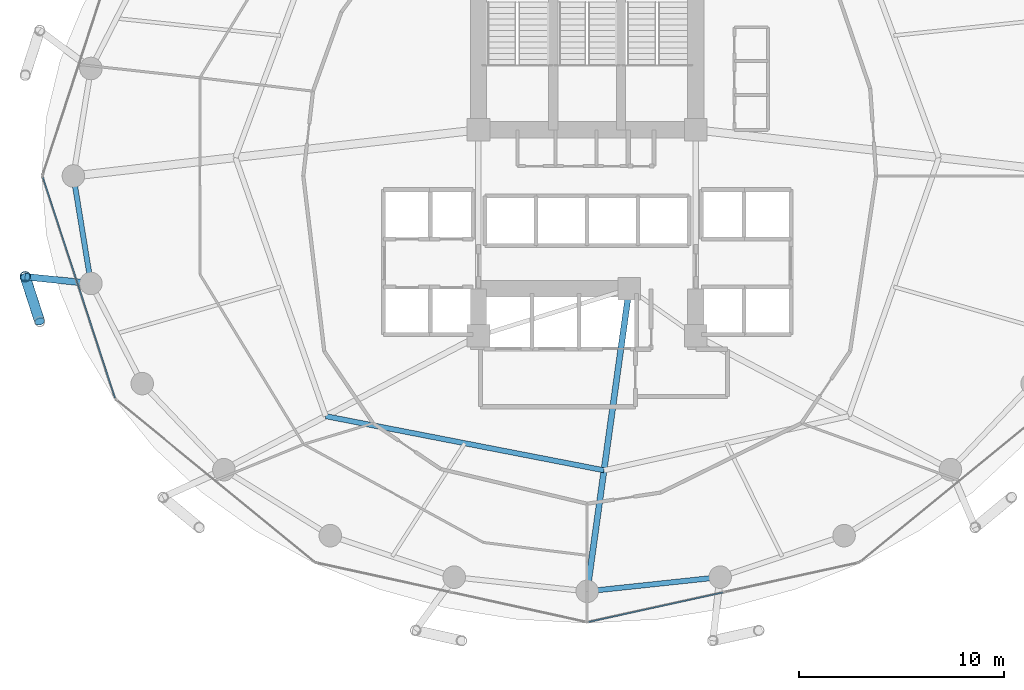
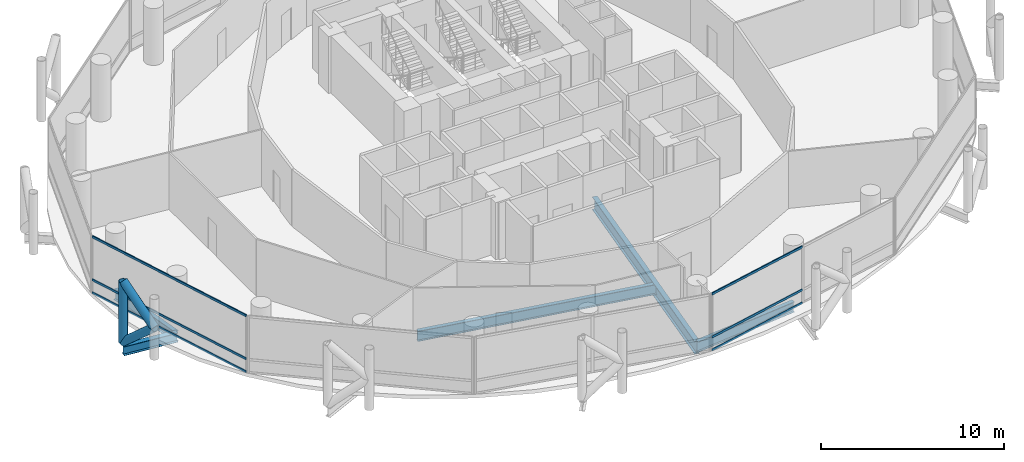
# One storey, part 5 of 25: 9 members, 5 beams, 2 elements without a shape of their own.
"""IFC4 building model written with IfcOpenShell, lengths in metres."""

import ifcopenshell
import ifcopenshell.guid

model = None  # the IFC model being written
_history = None  # IfcOwnerHistory: only IFC2X3 demands one
_inside = {}  # id of a spatial element -> (the spatial element, [elements in it])
_under = {}  # id of a project, library or spatial element -> (it, [spatial elements below it])
_declared = {}  # id of a project -> (the project, [libraries it declares])
_typed = {}  # id of a type object -> (the type object, [elements of that type])
_made_of = {}  # id of a material, layer set ... -> (it, [elements and type objects made of it])


def new_model(schema):
    """Start an empty IFC model of exactly this schema.

    Asked for "IFC4X3", IfcOpenShell would pick the latest addendum, in which some entities
    have other attributes; the version numbers below select the first issue.
    IFC2X3 requires an IfcOwnerHistory on every rooted entity: one is made here for all.
    """
    global model, _history
    if schema == "IFC4X3":
        model = ifcopenshell.file(schema_version=(4, 3, 0, 0))
    else:
        model = ifcopenshell.file(schema=schema)
    _inside.clear()
    _under.clear()
    _declared.clear()
    _typed.clear()
    _made_of.clear()
    _history = None
    if model.schema == "IFC2X3":
        org = make("IfcOrganization", Name="unknown")
        user = make(
            "IfcPersonAndOrganization",
            ThePerson=make("IfcPerson", FamilyName="unknown"),
            TheOrganization=org,
        )
        app = make(
            "IfcApplication",
            ApplicationDeveloper=org,
            Version="unknown",
            ApplicationFullName="unknown",
            ApplicationIdentifier="unknown",
        )
        _history = make(
            "IfcOwnerHistory",
            OwningUser=user,
            OwningApplication=app,
            ChangeAction="ADDED",
            CreationDate=0,
        )
    return model


def make(cls, **values):
    """One entity of the class cls with the attributes given. An attribute that is None is left unset."""
    return model.create_entity(
        cls, **{name: value for name, value in values.items() if value is not None}
    )


def rooted(cls, **values):
    """An entity with a GlobalId (a new one), such as an element, a storey or a relation."""
    return make(cls, GlobalId=ifcopenshell.guid.new(), OwnerHistory=_history, **values)


def si_unit(unit_type, name, prefix=None):
    """IfcSIUnit, for example si_unit("LENGTHUNIT", "METRE", prefix="MILLI")."""
    return make("IfcSIUnit", UnitType=unit_type, Prefix=prefix, Name=name)


def assignment(units):
    """IfcUnitAssignment: the units of a project."""
    return None if units is None else make("IfcUnitAssignment", Units=units)


def point(xyz):
    """IfcCartesianPoint."""
    return None if xyz is None else make("IfcCartesianPoint", Coordinates=xyz)


def direction(xyz):
    """IfcDirection."""
    return None if xyz is None else make("IfcDirection", DirectionRatios=xyz)


def frame(location, z_axis=None, x_axis=None):
    """IfcAxis2Placement3D, a coordinate frame: its origin and axes. An axis left out is left unset."""
    return make(
        "IfcAxis2Placement3D",
        Location=point(location),
        Axis=direction(z_axis),
        RefDirection=direction(x_axis),
    )


def frame_2d(location, x_axis=None):
    """IfcAxis2Placement2D, a coordinate frame in the plane: its origin and x axis."""
    return make(
        "IfcAxis2Placement2D", Location=point(location), RefDirection=direction(x_axis)
    )


def origin():
    """The frame at (0, 0, 0) with its axes left unset."""
    return frame((0.0, 0.0, 0.0))


def origin_2d():
    """The frame at (0, 0) in the plane with its x axis left unset."""
    return frame_2d((0.0, 0.0))


def place(relative_to, where):
    """IfcLocalPlacement: puts the frame where relative to a parent placement (None: the world)."""
    return make(
        "IfcLocalPlacement", PlacementRelTo=relative_to, RelativePlacement=where
    )


def context(
    kind, dimensions, precision=None, world=None, true_north=None, identifier=None
):
    """IfcGeometricRepresentationContext, for example the 3D "Model" context."""
    return make(
        "IfcGeometricRepresentationContext",
        ContextIdentifier=identifier,
        ContextType=kind,
        CoordinateSpaceDimension=dimensions,
        Precision=precision,
        WorldCoordinateSystem=world,
        TrueNorth=true_north,
    )


def subcontext(parent, identifier, kind, view, scale=None):
    """IfcGeometricRepresentationSubContext, for example "Body" below "Model"."""
    return make(
        "IfcGeometricRepresentationSubContext",
        ContextIdentifier=identifier,
        ContextType=kind,
        ParentContext=parent,
        TargetScale=scale,
        TargetView=view,
    )


def project(units=None, contexts=None):
    """IfcProject with its units and contexts."""
    return rooted(
        "IfcProject",
        Name="project",
        RepresentationContexts=contexts,
        UnitsInContext=assignment(units),
    )


def spatial(cls, under=None, at=None, **own):
    """A site, building, storey or space (cls), placed at a placement, below another one or the project."""
    s = rooted(cls, ObjectPlacement=at, **own)
    if under is not None:
        _under.setdefault(under.id(), (under, []))[1].append(s)
    return s


def profile(cls, at=None, kind="AREA", **sizes):
    """A parametric profile (cls). Its sizes go by their IFC names, for example OverallWidth=200.0."""
    return make(cls, ProfileType=kind, Position=at, **sizes)


def hollow_rectangle(**sizes):
    """IfcRectangleHollowProfileDef."""
    return profile("IfcRectangleHollowProfileDef", **sizes)


def hollow_circle(**sizes):
    """IfcCircleHollowProfileDef."""
    return profile("IfcCircleHollowProfileDef", **sizes)


def i_section(**sizes):
    """IfcIShapeProfileDef."""
    return profile("IfcIShapeProfileDef", **sizes)


def extrude(swept, where, along, depth):
    """IfcExtrudedAreaSolid: the profile swept, set in the frame where, extruded along a direction by depth."""
    return make(
        "IfcExtrudedAreaSolid",
        SweptArea=swept,
        Position=where,
        ExtrudedDirection=direction(along),
        Depth=depth,
    )


def shape(context_of_items, identifier, shape_type, items):
    """IfcShapeRepresentation: the items that make up one representation, for example the "Body"."""
    return make(
        "IfcShapeRepresentation",
        ContextOfItems=context_of_items,
        RepresentationIdentifier=identifier,
        RepresentationType=shape_type,
        Items=items,
    )


def material(Name=None, Category=None):
    """IfcMaterial."""
    return make("IfcMaterial", Name=Name, Category=Category)


def layer(
    of_material, thickness, ventilated=None, Name=None, Category=None, Priority=None
):
    """IfcMaterialLayer: one layer of a wall or slab, of a material (None: an air gap)."""
    return make(
        "IfcMaterialLayer",
        Material=of_material,
        LayerThickness=thickness,
        IsVentilated=ventilated,
        Name=Name,
        Category=Category,
        Priority=Priority,
    )


def layer_set(layers, Name=None):
    """IfcMaterialLayerSet."""
    return make("IfcMaterialLayerSet", MaterialLayers=layers, LayerSetName=Name)


def material_profile(
    of_material, cross_section, Name=None, Category=None, Priority=None
):
    """IfcMaterialProfile: a cross section and its material."""
    return make(
        "IfcMaterialProfile",
        Name=Name,
        Material=of_material,
        Profile=cross_section,
        Priority=Priority,
        Category=Category,
    )


def profile_set(profiles, Name=None, composite=None):
    """IfcMaterialProfileSet."""
    return make(
        "IfcMaterialProfileSet",
        Name=Name,
        MaterialProfiles=profiles,
        CompositeProfile=composite,
    )


def made_of(thing, what):
    """Note that an element or type object is made of a material, layer set ...; save() writes the relation."""
    if what is not None:
        _made_of.setdefault(what.id(), (what, []))[1].append(thing)
    return thing


def type_object(cls, material=None, **own):
    """A type object (cls), such as IfcWallType, which elements share."""
    return made_of(rooted(cls, **own), material)


def element(
    cls,
    number,
    at=None,
    inside=None,
    cuts=None,
    type_object=None,
    material=None,
    context=None,
    identifier="Body",
    shape_type=None,
    held_by="IfcProductDefinitionShape",
    body=None,
    shapes=None,
    **own,
):
    """One element of the class cls, such as IfcWall. Its Tag is "e" and its number.

    at: its placement. inside: the storey or other place that contains it. cuts: it is an
    opening in that element (IfcRelVoidsElement). A single representation is given by context,
    identifier, shape_type and body (its items); several are given by shapes. held_by: the class
    of the entity that holds the representations. save() writes the other relations.
    """
    e = rooted(cls, Tag="e%d" % number, ObjectPlacement=at, **own)
    if body is not None:
        shapes = [shape(context, identifier, shape_type, body)]
    if shapes is not None:
        e.Representation = make(held_by, Representations=shapes)
    if inside is not None:
        _inside.setdefault(inside.id(), (inside, []))[1].append(e)
    if cuts is not None:
        rooted(
            "IfcRelVoidsElement", RelatingBuildingElement=cuts, RelatedOpeningElement=e
        )
    if type_object is not None:
        _typed.setdefault(type_object.id(), (type_object, []))[1].append(e)
    return made_of(e, material)


def aggregate(whole, parts):
    """IfcRelAggregates: a whole, such as a stair, and the parts it consists of."""
    return rooted("IfcRelAggregates", RelatingObject=whole, RelatedObjects=parts)


def save(model, path):
    """Write the relations noted so far, then the file.

    IfcRelAggregates (storeys below a building ...), IfcRelContainedInSpatialStructure (elements
    in a storey), IfcRelDefinesByType, IfcRelAssociatesMaterial and IfcRelDeclares: one each for
    every whole, place, type object, material and project.
    """
    for whole, parts in _under.values():
        aggregate(whole, parts)
    for where, things in _inside.values():
        rooted(
            "IfcRelContainedInSpatialStructure",
            RelatedElements=things,
            RelatingStructure=where,
        )
    for kind, things in _typed.values():
        rooted("IfcRelDefinesByType", RelatedObjects=things, RelatingType=kind)
    for what, things in _made_of.values():
        rooted("IfcRelAssociatesMaterial", RelatedObjects=things, RelatingMaterial=what)
    for by, libraries in _declared.values():
        rooted("IfcRelDeclares", RelatingContext=by, RelatedDefinitions=libraries)
    model.write(path)


model = new_model("IFC4")

# Units and contexts
model_context = context("Model", 3, precision=1e-05, world=origin(), true_north=direction((0.0, 1.0)))
body_context = subcontext(model_context, "Body", "Model", "MODEL_VIEW")
ifc_project = project(units=[si_unit("LENGTHUNIT", "METRE"), si_unit("AREAUNIT", "SQUARE_METRE"), si_unit("VOLUMEUNIT", "CUBIC_METRE"), si_unit("PLANEANGLEUNIT", "RADIAN"), si_unit("MASSUNIT", "GRAM", prefix="KILO")], contexts=[model_context])

# Site, building, storey
site_placement = place(None, origin())
site = spatial("IfcSite", under=ifc_project, at=site_placement, CompositionType="ELEMENT")
building_placement = place(site_placement, origin())
building = spatial("IfcBuilding", under=site, at=building_placement, Name="Nuhasar Tower", CompositionType="ELEMENT")
storey_placement = place(building_placement, frame((0.0, 0.0, 57.449951171875)))
storey = spatial("IfcBuildingStorey", under=building, at=storey_placement, Name="L13", CompositionType="ELEMENT", Elevation=57.449951171875)

# Beams
ifc_material_1 = material(Name="Steel S355", Category="steel")
ifc_material_profile_1 = material_profile(ifc_material_1, i_section(OverallWidth=0.25390625, OverallDepth=0.68408203125, WebThickness=0.012451171875, FlangeThickness=0.018798828125, at=origin_2d()), Name="W27X94")
ifc_profile_set_1 = profile_set([ifc_material_profile_1], Name="Steel S355")
beam_type_1 = type_object("IfcBeamType", Name="BM-INRING-W27X94", PredefinedType="BEAM", material=ifc_profile_set_1)
beam_1_placement = place(storey_placement, frame((26.251953125, 15.089111328125, -0.592041015625), z_axis=(0.981602977761, -0.190933480695, 0.0), x_axis=(0.190933480695, 0.981602977761, 0.0)))
element("IfcBeam", 1, at=beam_1_placement, inside=storey, type_object=beam_type_1, Name="L13 Inner Header Beam 01", PredefinedType="BEAM", context=body_context, shape_type="SweptSolid", body=[
    extrude(i_section(OverallWidth=0.25390625, OverallDepth=0.68408203125, WebThickness=0.012451171875, FlangeThickness=0.018798828125, at=origin_2d()), origin(), (0.0, 0.0, 1.0), 13.822509765625),
])
ifc_material_profile_2 = material_profile(ifc_material_1, i_section(OverallWidth=0.2919921875, OverallDepth=0.85888671875, WebThickness=0.01708984375, FlangeThickness=0.031005859375, at=origin_2d()), Name="W33X169")
ifc_profile_set_2 = profile_set([ifc_material_profile_2], Name="Steel S355")
beam_type_2 = type_object("IfcBeamType", Name="BM-POD-W33X169", PredefinedType="BEAM", material=ifc_profile_set_2)
beam_2_placement = place(storey_placement, frame((41.050048828125, 21.300048828125, -0.678955078125), z_axis=(-0.137663087856, -0.990479113481, 0.0), x_axis=(0.990479113481, -0.137663087856, 0.0)))
element("IfcBeam", 2, at=beam_2_placement, inside=storey, type_object=beam_type_2, Name="L13 Radial Floor Girder 02", PredefinedType="BEAM", context=body_context, shape_type="SweptSolid", body=[
    extrude(i_section(OverallWidth=0.2919921875, OverallDepth=0.85888671875, WebThickness=0.01708984375, FlangeThickness=0.031005859375, at=origin_2d()), origin(), (0.0, 0.0, 1.0), 14.891845703125),
])
ifc_material_profile_3 = material_profile(ifc_material_1, i_section(OverallWidth=0.256103515625, OverallDepth=0.693115234375, WebThickness=0.014404296875, FlangeThickness=0.023681640625, at=origin_2d()), Name="W27X114")
ifc_profile_set_3 = profile_set([ifc_material_profile_3], Name="Steel S355")
beam_type_3 = type_object("IfcBeamType", Name="BM-RING-W27X114", PredefinedType="SPANDREL", material=ifc_profile_set_3)
beam_3_placement = place(storey_placement, frame((13.949951171875, 26.800048828125, -0.595947265625), z_axis=(0.160826635486, -0.986982671235, 0.0), x_axis=(0.986982671235, 0.160826635486, 0.0)))
element("IfcBeam", 3, at=beam_3_placement, inside=storey, type_object=beam_type_3, Name="L13 Perimeter Ring Spandrel 13", PredefinedType="SPANDREL", context=body_context, shape_type="SweptSolid", body=[
    extrude(i_section(OverallWidth=0.256103515625, OverallDepth=0.693115234375, WebThickness=0.014404296875, FlangeThickness=0.023681640625, at=origin_2d()), origin(), (0.0, 0.0, 1.0), 5.31005859375),
])
beam_4_placement = place(storey_placement, frame((39.0, 6.550048828125, -0.595947265625), z_axis=(0.994384554061, 0.105827022286, 0.0), x_axis=(-0.105827022286, 0.994384554061, 0.0)))
element("IfcBeam", 4, at=beam_4_placement, inside=storey, type_object=beam_type_3, Name="L13 Perimeter Ring Spandrel 19", PredefinedType="SPANDREL", context=body_context, shape_type="SweptSolid", body=[
    extrude(i_section(OverallWidth=0.256103515625, OverallDepth=0.693115234375, WebThickness=0.014404296875, FlangeThickness=0.023681640625, at=origin_2d()), origin(), (0.0, 0.0, 1.0), 6.51953125),
])
ifc_material_profile_4 = material_profile(ifc_material_1, i_section(OverallWidth=0.323974609375, OverallDepth=0.611083984375, WebThickness=0.0126953125, FlangeThickness=0.01904296875, at=origin_2d()), Name="W24X104")
ifc_profile_set_4 = profile_set([ifc_material_profile_4], Name="Steel S355")
beam_type_4 = type_object("IfcBeamType", Name="BM-TIE-W24X104", PredefinedType="BEAM", material=ifc_profile_set_4)
beam_5_placement = place(storey_placement, frame((14.803955078125, 21.55908203125, -0.554931640625), z_axis=(-0.994711572359, 0.102707778751, 0.0), x_axis=(-0.102707778751, -0.994711572359, 0.0)))
element("IfcBeam", 5, at=beam_5_placement, inside=storey, type_object=beam_type_4, Name="L13 Exoskeleton Node Tie Beam 07", PredefinedType="BEAM", context=body_context, shape_type="SweptSolid", body=[
    extrude(i_section(OverallWidth=0.323974609375, OverallDepth=0.611083984375, WebThickness=0.0126953125, FlangeThickness=0.01904296875, at=origin_2d()), origin(), (0.0, 0.0, 1.0), 3.220947265625),
])

# Curtain wall, members
ifc_material_2 = material(Name="Aluminium 6063-T6", Category="aluminium")
ifc_layer = layer(ifc_material_2, 0.199951171875)
ifc_layer_set = layer_set([ifc_layer], Name="Aluminium 6063-T6")
curtain_wall_type = type_object("IfcCurtainWallType", Name="CW-Z1-OFF", PredefinedType="NOTDEFINED", material=ifc_layer_set)
curtain_wall_1_placement = place(storey_placement, origin())
curtain_wall_1 = element("IfcCurtainWall", 6, at=curtain_wall_1_placement, inside=storey, type_object=curtain_wall_type, Name="L13 Unitised Curtain Wall 07", PredefinedType="NOTDEFINED")
ifc_material_profile_5 = material_profile(ifc_material_2, hollow_rectangle(XDim=0.06494140625, YDim=0.14990234375, WallThickness=0.00439453125, at=origin_2d()), Name="CWT-2")
ifc_profile_set_5 = profile_set([ifc_material_profile_5], Name="Aluminium 6063-T6")
member_type_1 = type_object("IfcMemberType", Name="CW-TRN-S2", PredefinedType="USERDEFINED", material=ifc_profile_set_5)
member_1_placement = place(storey_placement, frame((12.460205078125, 26.73828125, 0.032470703125), z_axis=(0.310818687697, -0.950469222741, 0.0), x_axis=(0.950469222741, 0.310818687697, 0.0)))
member_1 = element("IfcMember", 7, at=member_1_placement, type_object=member_type_1, Name="CW-Z1 transom 1.1", ObjectType="TRANSOM", PredefinedType="USERDEFINED", context=body_context, shape_type="SweptSolid", body=[
    extrude(hollow_rectangle(XDim=0.06494140625, YDim=0.14990234375, WallThickness=0.00439453125, at=origin_2d()), origin(), (0.0, 0.0, 1.0), 11.317138671875),
])
member_2_placement = place(storey_placement, frame((12.460205078125, 26.73828125, 0.900146484375), z_axis=(0.310818687697, -0.950469222741, 0.0), x_axis=(0.950469222741, 0.310818687697, 0.0)))
member_2 = element("IfcMember", 8, at=member_2_placement, type_object=member_type_1, Name="CW-Z1 transom 1.2", ObjectType="TRANSOM", PredefinedType="USERDEFINED", context=body_context, shape_type="SweptSolid", body=[
    extrude(hollow_rectangle(XDim=0.06494140625, YDim=0.14990234375, WallThickness=0.00439453125, at=origin_2d()), origin(), (0.0, 0.0, 1.0), 11.317138671875),
])
member_3_placement = place(storey_placement, frame((12.460205078125, 26.73828125, 3.767578125), z_axis=(0.310818687697, -0.950469222741, 0.0), x_axis=(0.950469222741, 0.310818687697, 0.0)))
member_3 = element("IfcMember", 9, at=member_3_placement, type_object=member_type_1, Name="CW-Z1 transom 1.3", ObjectType="TRANSOM", PredefinedType="USERDEFINED", context=body_context, shape_type="SweptSolid", body=[
    extrude(hollow_rectangle(XDim=0.06494140625, YDim=0.14990234375, WallThickness=0.00439453125, at=origin_2d()), origin(), (0.0, 0.0, 1.0), 11.317138671875),
])
aggregate(curtain_wall_1, [member_1, member_2, member_3])

curtain_wall_2_placement = place(storey_placement, origin())
curtain_wall_2 = element("IfcCurtainWall", 10, at=curtain_wall_2_placement, inside=storey, type_object=curtain_wall_type, Name="L13 Unitised Curtain Wall 10", PredefinedType="NOTDEFINED")
member_4_placement = place(storey_placement, frame((39.0634765625, 5.053955078125, 0.032470703125), z_axis=(0.976747879138, 0.214391185916, 0.0), x_axis=(-0.214391185916, 0.976747879138, 0.0)))
member_4 = element("IfcMember", 11, at=member_4_placement, type_object=member_type_1, Name="CW-Z1 transom 1.1", ObjectType="TRANSOM", PredefinedType="USERDEFINED", context=body_context, shape_type="SweptSolid", body=[
    extrude(hollow_rectangle(XDim=0.06494140625, YDim=0.14990234375, WallThickness=0.00439453125, at=origin_2d()), origin(), (0.0, 0.0, 1.0), 6.700439453125),
])
member_5_placement = place(storey_placement, frame((39.0634765625, 5.053955078125, 0.900146484375), z_axis=(0.976747879138, 0.214391185916, 0.0), x_axis=(-0.214391185916, 0.976747879138, 0.0)))
member_5 = element("IfcMember", 12, at=member_5_placement, type_object=member_type_1, Name="CW-Z1 transom 1.2", ObjectType="TRANSOM", PredefinedType="USERDEFINED", context=body_context, shape_type="SweptSolid", body=[
    extrude(hollow_rectangle(XDim=0.06494140625, YDim=0.14990234375, WallThickness=0.00439453125, at=origin_2d()), origin(), (0.0, 0.0, 1.0), 6.700439453125),
])
member_6_placement = place(storey_placement, frame((39.0634765625, 5.053955078125, 3.767578125), z_axis=(0.976747879138, 0.214391185916, 0.0), x_axis=(-0.214391185916, 0.976747879138, 0.0)))
member_6 = element("IfcMember", 13, at=member_6_placement, type_object=member_type_1, Name="CW-Z1 transom 1.3", ObjectType="TRANSOM", PredefinedType="USERDEFINED", context=body_context, shape_type="SweptSolid", body=[
    extrude(hollow_rectangle(XDim=0.06494140625, YDim=0.14990234375, WallThickness=0.00439453125, at=origin_2d()), origin(), (0.0, 0.0, 1.0), 6.700439453125),
])
aggregate(curtain_wall_2, [member_4, member_5, member_6])

# Members
ifc_material_3 = material(Name="Steel S460", Category="steel")
ifc_material_profile_6 = material_profile(ifc_material_3, hollow_circle(Radius=0.25390625, WallThickness=0.025390625, at=origin_2d()), Name="HSS508X25.4")
ifc_profile_set_6 = profile_set([ifc_material_profile_6], Name="Steel S460")
member_type_2 = type_object("IfcMemberType", Name="EXO-BRONZE-508", PredefinedType="BRACE", material=ifc_profile_set_6)
member_7_placement = place(storey_placement, frame((11.60009765625, 21.889892578125, 0.0), z_axis=(0.0, 0.0, 1.0), x_axis=(1.0, 0.0, 0.0)))
element("IfcMember", 14, at=member_7_placement, inside=storey, type_object=member_type_2, Name="L13 Exoskeleton Chord Column EC-07A", PredefinedType="BRACE", context=body_context, shape_type="SweptSolid", body=[
    extrude(hollow_circle(Radius=0.25390625, WallThickness=0.025390625, at=origin_2d()), origin(), (0.0, 0.0, 1.0), 4.050048828125),
])
member_8_placement = place(storey_placement, frame((11.60009765625, 21.889892578125, 0.0), z_axis=(0.230999678299, -0.714187281251, 0.660738734997), x_axis=(0.951468282519, 0.307746823478, 0.0)))
element("IfcMember", 15, at=member_8_placement, inside=storey, type_object=member_type_2, Name="L13 Bronze Diagrid Brace W1-07", PredefinedType="BRACE", context=body_context, shape_type="SweptSolid", body=[
    extrude(hollow_circle(Radius=0.25390625, WallThickness=0.025390625, at=origin_2d()), origin(), (0.0, 0.0, 1.0), 3.06494140625),
])
member_9_placement = place(storey_placement, frame((12.30810546875, 19.700927734375, 2.025146484375), z_axis=(-0.231011836313, 0.714224870475, 0.660693851854), x_axis=(-0.951468282519, -0.307746823478, 0.0)))
element("IfcMember", 16, at=member_9_placement, inside=storey, type_object=member_type_2, Name="L13 Bronze Diagrid Brace W2-07", PredefinedType="BRACE", context=body_context, shape_type="SweptSolid", body=[
    extrude(hollow_circle(Radius=0.25390625, WallThickness=0.025390625, at=origin_2d()), origin(), (0.0, 0.0, 1.0), 3.064697265625),
])

save(model, "model.ifc")
